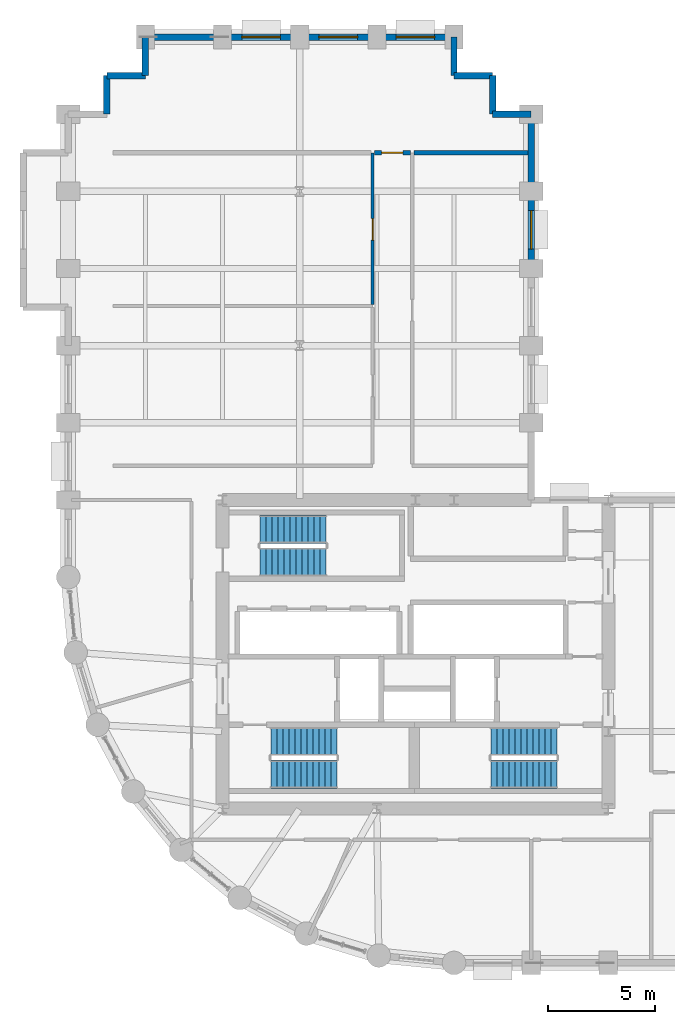
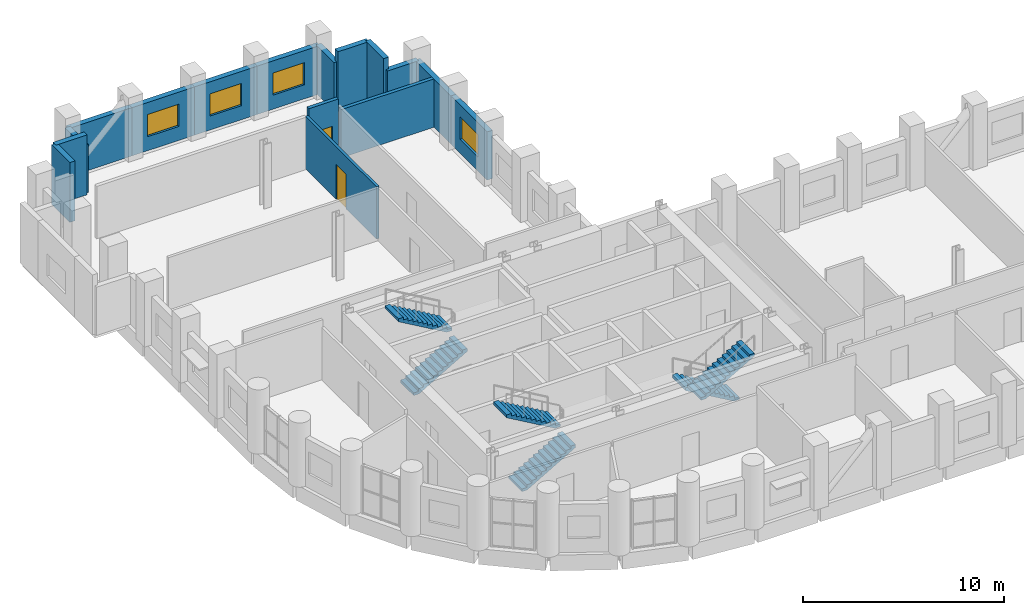
# One storey, part 11 of 13: 16 walls, 6 stair flights, 4 windows, 2 doors, 6 openings, 3 elements without a shape of their own.
"""IFC4 building model written with IfcOpenShell, lengths in metres."""

from ifc_helpers import new_model, si_unit, direction, frame, frame_2d, origin, place, context, subcontext, project, spatial, polyline, rectangle, outline, extrude, material, layer, layer_set, type_object, element, fill, aggregate, save


model = new_model("IFC4")

# Units and contexts
model_context = context("Model", 3, precision=1e-05, world=origin(), true_north=direction((0.0, 1.0)))
body_context = subcontext(model_context, "Body", "Model", "MODEL_VIEW")
ifc_project = project(units=[si_unit("LENGTHUNIT", "METRE"), si_unit("AREAUNIT", "SQUARE_METRE"), si_unit("VOLUMEUNIT", "CUBIC_METRE"), si_unit("PLANEANGLEUNIT", "RADIAN"), si_unit("MASSUNIT", "GRAM", prefix="KILO")], contexts=[model_context])

# Site, building, storey
site_placement = place(None, origin())
site = spatial("IfcSite", under=ifc_project, at=site_placement, CompositionType="ELEMENT")
building_placement = place(site_placement, origin())
building = spatial("IfcBuilding", under=site, at=building_placement, Name="Solnavia Interchange Tower", CompositionType="ELEMENT")
storey_placement = place(building_placement, frame((0.0, 0.0, 87.89990234375)))
storey = spatial("IfcBuildingStorey", under=building, at=storey_placement, Name="L21", CompositionType="ELEMENT", Elevation=87.89990234375)

# Wall
ifc_material_1 = material(Name="Gypsum Acoustic Twin-Stud & Mineral Wool", Category="gypsum")
ifc_layer_1 = layer(ifc_material_1, 0.199951171875)
ifc_layer_set_1 = layer_set([ifc_layer_1], Name="Gypsum Acoustic Twin-Stud & Mineral Wool")
wall_type_1 = type_object("IfcWallType", Name="Wall-ApartmentParty-200", PredefinedType="PARTITIONING", material=ifc_layer_set_1)
wall_1_placement = place(storey_placement, frame((23.3291015625, 41.39990234375, 0.0), z_axis=(0.0, 0.0, 1.0), x_axis=(1.0, 0.0, 0.0)))
element("IfcWall", 1, at=wall_1_placement, inside=storey, type_object=wall_type_1, Name="PTW-L21-35 Interior partition wall", PredefinedType="PARTITIONING", context=body_context, shape_type="SweptSolid", body=[
    extrude(rectangle(XDim=5.31689453125, YDim=0.199951171875, at=frame_2d((2.658447265625, 0.0))), origin(), (0.0, 0.0, 1.0), 2.93017578125),
])

# Wall, opening, door
wall_2_placement = place(storey_placement, frame((21.47900390625, 41.39990234375, 0.0), z_axis=(0.0, 0.0, 1.0), x_axis=(1.0, 0.0, 0.0)))
wall_2 = element("IfcWall", 2, at=wall_2_placement, inside=storey, type_object=wall_type_1, Name="PTW-L21-36 Interior partition wall", PredefinedType="PARTITIONING", context=body_context, shape_type="SweptSolid", body=[
    extrude(rectangle(XDim=1.69189453125, YDim=0.199951171875, at=frame_2d((0.845947265625, 0.0))), origin(), (0.0, 0.0, 1.0), 3.635009765625),
])
opening_1_placement = place(wall_2_placement, frame((0.339111328125, 0.0, 0.0)))
opening_1 = element("IfcOpeningElement", 3, at=opening_1_placement, cuts=wall_2, Name="Opening DR-06", PredefinedType="OPENING", context=body_context, shape_type="SweptSolid", body=[
    extrude(rectangle(XDim=1.0, YDim=2.10009765625, at=frame_2d((0.5, 1.050048828125))), frame((0.0, 0.10986328125, 0.0), z_axis=(0.0, -1.0, 0.0), x_axis=(1.0, 0.0, 0.0)), (0.0, 0.0, 1.0), 0.219970703125),
])
ifc_material_2 = material(Name="Engineered Timber Acoustic Fire Door", Category="wood")
door_type_1 = type_object("IfcDoorType", Name="Door-FlatEntry-1000x2100", OperationType="SINGLE_SWING_LEFT", PredefinedType="DOOR", material=ifc_material_2)
door_1_placement = place(opening_1_placement, origin())
door_1 = element("IfcDoor", 4, at=door_1_placement, inside=storey, type_object=door_type_1, Name="DR-L21-17 Interior room door", OperationType="SINGLE_SWING_LEFT", OverallHeight=2.10009765625, OverallWidth=1.0, PredefinedType="DOOR", context=body_context, shape_type="SweptSolid", body=[
    extrude(rectangle(XDim=1.0, YDim=2.10009765625, at=frame_2d((0.5, 1.050048828125))), frame((0.0, 0.02490234375, 0.0), z_axis=(0.0, -1.0, 0.0), x_axis=(1.0, 0.0, 0.0)), (0.0, 0.0, 1.0), 0.050048828125),
])
fill(opening_1, door_1)

# Wall, opening, window
ifc_material_3 = material(Name="Concrete C40/50", Category="concrete")
ifc_layer_2 = layer(ifc_material_3, 0.300048828125)
ifc_layer_set_2 = layer_set([ifc_layer_2], Name="Concrete C40/50")
wall_type_2 = type_object("IfcWallType", Name="Wall-ExtSpandrel-300", PredefinedType="STANDARD", material=ifc_layer_set_2)
wall_3_placement = place(storey_placement, frame((28.800048828125, 39.60009765625, 0.0), z_axis=(0.0, 0.0, 1.0), x_axis=(0.0, -1.0, 0.0)))
wall_3 = element("IfcWall", 5, at=wall_3_placement, inside=storey, type_object=wall_type_2, Name="EXW-L21-31 Exterior precast spandrel wall", PredefinedType="STANDARD", context=body_context, shape_type="SweptSolid", body=[
    extrude(rectangle(XDim=3.60009765625, YDim=0.300048828125, at=frame_2d((1.800048828125, 0.0))), origin(), (0.0, 0.0, 1.0), 2.93017578125),
])
opening_2_placement = place(wall_3_placement, frame((0.89990234375, 0.0, 0.85009765625)))
opening_2 = element("IfcOpeningElement", 6, at=opening_2_placement, cuts=wall_3, Name="Opening WIN-02", PredefinedType="OPENING", context=body_context, shape_type="SweptSolid", body=[
    extrude(rectangle(XDim=1.800048828125, YDim=1.35009765625, at=frame_2d((0.89990234375, 0.675048828125))), frame((0.0, 0.16015625, 0.0), z_axis=(0.0, -1.0, 0.0), x_axis=(1.0, 0.0, 0.0)), (0.0, 0.0, 1.0), 0.320068359375),
])
ifc_material_4 = material(Name="Thermal-Break Aluminium & Low-E Glass", Category="aluminium")
window_type = type_object("IfcWindowType", Name="Window-Ribbon-1800x1350", PartitioningType="SINGLE_PANEL", PredefinedType="WINDOW", material=ifc_material_4)
window_1_placement = place(opening_2_placement, origin())
window_1 = element("IfcWindow", 7, at=window_1_placement, inside=storey, type_object=window_type, Name="WIN-L21-31 Facade ribbon window", OverallHeight=1.35009765625, OverallWidth=1.800048828125, PartitioningType="SINGLE_PANEL", PredefinedType="WINDOW", context=body_context, shape_type="SweptSolid", body=[
    extrude(rectangle(XDim=1.800048828125, YDim=1.35009765625, at=frame_2d((0.89990234375, 0.675048828125))), frame((0.0, 0.030029296875, 0.0), z_axis=(0.0, -1.0, 0.0), x_axis=(1.0, 0.0, 0.0)), (0.0, 0.0, 1.0), 0.06005859375),
])
fill(opening_2, window_1)

# Walls
wall_4_placement = place(storey_placement, frame((28.800048828125, 43.199951171875, 0.0), z_axis=(0.0, 0.0, 1.0), x_axis=(0.0, -1.0, 0.0)))
element("IfcWall", 8, at=wall_4_placement, inside=storey, type_object=wall_type_2, Name="EXW-L21-32 Exterior precast spandrel wall", PredefinedType="STANDARD", context=body_context, shape_type="SweptSolid", body=[
    extrude(rectangle(XDim=3.599853515625, YDim=0.300048828125, at=frame_2d((1.7998046875, 0.0))), origin(), (0.0, 0.0, 1.0), 2.93017578125),
])
wall_5_placement = place(storey_placement, frame((27.0, 43.199951171875, 0.0), z_axis=(0.0, 0.0, 1.0), x_axis=(1.0, 0.0, 0.0)))
element("IfcWall", 9, at=wall_5_placement, inside=storey, type_object=wall_type_2, Name="EXW-L21-33 Exterior precast spandrel wall", PredefinedType="STANDARD", context=body_context, shape_type="SweptSolid", body=[
    extrude(rectangle(XDim=1.800048828125, YDim=0.300048828125, at=frame_2d((0.89990234375, 0.0))), origin(), (0.0, 0.0, 1.0), 2.93017578125),
])
for number, where, z_axis, x_axis, name in (
    (10, (27.0, 43.199951171875, 0.0), (0.0, 0.0, 1.0), (0.0, 1.0, 0.0), "EXW-L21-34 Exterior precast spandrel wall"),
    (11, (25.199951171875, 45.0, 0.0), (0.0, 0.0, 1.0), (1.0, 0.0, 0.0), "EXW-L21-35 Exterior precast spandrel wall"),
):
    element("IfcWall", number, at=place(storey_placement, frame(where, z_axis=z_axis, x_axis=x_axis)), inside=storey, type_object=wall_type_2, Name=name, PredefinedType="STANDARD", context=body_context, shape_type="SweptSolid", body=[
        extrude(rectangle(XDim=1.800048828125, YDim=0.300048828125, at=frame_2d((0.89990234375, 0.0))), origin(), (0.0, 0.0, 1.0), 3.635009765625),
    ])
wall_6_placement = place(storey_placement, frame((25.199951171875, 45.0, 0.0), z_axis=(0.0, 0.0, 1.0), x_axis=(0.0, 1.0, 0.0)))
element("IfcWall", 12, at=wall_6_placement, inside=storey, type_object=wall_type_2, Name="EXW-L21-36 Exterior precast spandrel wall", PredefinedType="STANDARD", context=body_context, shape_type="SweptSolid", body=[
    extrude(rectangle(XDim=1.800048828125, YDim=0.300048828125, at=frame_2d((0.89990234375, 0.0))), origin(), (0.0, 0.0, 1.0), 2.93017578125),
])

# Wall, opening, window
wall_7_placement = place(storey_placement, frame((21.60009765625, 46.800048828125, 0.0), z_axis=(0.0, 0.0, 1.0), x_axis=(1.0, 0.0, 0.0)))
wall_7 = element("IfcWall", 13, at=wall_7_placement, inside=storey, type_object=wall_type_2, Name="EXW-L21-37 Exterior precast spandrel wall", PredefinedType="STANDARD", context=body_context, shape_type="SweptSolid", body=[
    extrude(rectangle(XDim=3.599853515625, YDim=0.300048828125, at=frame_2d((1.7998046875, 0.0))), origin(), (0.0, 0.0, 1.0), 2.93017578125),
])
opening_3_placement = place(wall_7_placement, frame((0.89990234375, 0.0, 0.85009765625)))
opening_3 = element("IfcOpeningElement", 14, at=opening_3_placement, cuts=wall_7, Name="Opening WIN-02", PredefinedType="OPENING", context=body_context, shape_type="SweptSolid", body=[
    extrude(rectangle(XDim=1.800048828125, YDim=1.35009765625, at=frame_2d((0.89990234375, 0.675048828125))), frame((0.0, 0.16015625, 0.0), z_axis=(0.0, -1.0, 0.0), x_axis=(1.0, 0.0, 0.0)), (0.0, 0.0, 1.0), 0.320068359375),
])
window_2_placement = place(opening_3_placement, origin())
window_2 = element("IfcWindow", 15, at=window_2_placement, inside=storey, type_object=window_type, Name="WIN-L21-37 Facade ribbon window", OverallHeight=1.35009765625, OverallWidth=1.800048828125, PartitioningType="SINGLE_PANEL", PredefinedType="WINDOW", context=body_context, shape_type="SweptSolid", body=[
    extrude(rectangle(XDim=1.800048828125, YDim=1.35009765625, at=frame_2d((0.89990234375, 0.675048828125))), frame((0.0, 0.030029296875, 0.0), z_axis=(0.0, -1.0, 0.0), x_axis=(1.0, 0.0, 0.0)), (0.0, 0.0, 1.0), 0.06005859375),
])
fill(opening_3, window_2)

wall_8_placement = place(storey_placement, frame((18.0, 46.800048828125, 0.0), z_axis=(0.0, 0.0, 1.0), x_axis=(1.0, 0.0, 0.0)))
wall_8 = element("IfcWall", 16, at=wall_8_placement, inside=storey, type_object=wall_type_2, Name="EXW-L21-38 Exterior precast spandrel wall", PredefinedType="STANDARD", context=body_context, shape_type="SweptSolid", body=[
    extrude(rectangle(XDim=3.60009765625, YDim=0.300048828125, at=frame_2d((1.800048828125, 0.0))), origin(), (0.0, 0.0, 1.0), 2.93017578125),
])
opening_4_placement = place(wall_8_placement, frame((0.89990234375, 0.0, 0.85009765625)))
opening_4 = element("IfcOpeningElement", 17, at=opening_4_placement, cuts=wall_8, Name="Opening WIN-02", PredefinedType="OPENING", context=body_context, shape_type="SweptSolid", body=[
    extrude(rectangle(XDim=1.800048828125, YDim=1.35009765625, at=frame_2d((0.89990234375, 0.675048828125))), frame((0.0, 0.16015625, 0.0), z_axis=(0.0, -1.0, 0.0), x_axis=(1.0, 0.0, 0.0)), (0.0, 0.0, 1.0), 0.320068359375),
])
window_3_placement = place(opening_4_placement, origin())
window_3 = element("IfcWindow", 18, at=window_3_placement, inside=storey, type_object=window_type, Name="WIN-L21-38 Facade ribbon window", OverallHeight=1.35009765625, OverallWidth=1.800048828125, PartitioningType="SINGLE_PANEL", PredefinedType="WINDOW", context=body_context, shape_type="SweptSolid", body=[
    extrude(rectangle(XDim=1.800048828125, YDim=1.35009765625, at=frame_2d((0.89990234375, 0.675048828125))), frame((0.0, 0.030029296875, 0.0), z_axis=(0.0, -1.0, 0.0), x_axis=(1.0, 0.0, 0.0)), (0.0, 0.0, 1.0), 0.06005859375),
])
fill(opening_4, window_3)

wall_9_placement = place(storey_placement, frame((14.39990234375, 46.800048828125, 0.0), z_axis=(0.0, 0.0, 1.0), x_axis=(1.0, 0.0, 0.0)))
wall_9 = element("IfcWall", 19, at=wall_9_placement, inside=storey, type_object=wall_type_2, Name="EXW-L21-39 Exterior precast spandrel wall", PredefinedType="STANDARD", context=body_context, shape_type="SweptSolid", body=[
    extrude(rectangle(XDim=3.60009765625, YDim=0.300048828125, at=frame_2d((1.800048828125, 0.0))), origin(), (0.0, 0.0, 1.0), 2.93017578125),
])
opening_5_placement = place(wall_9_placement, frame((0.89990234375, 0.0, 0.85009765625)))
opening_5 = element("IfcOpeningElement", 20, at=opening_5_placement, cuts=wall_9, Name="Opening WIN-02", PredefinedType="OPENING", context=body_context, shape_type="SweptSolid", body=[
    extrude(rectangle(XDim=1.800048828125, YDim=1.35009765625, at=frame_2d((0.89990234375, 0.675048828125))), frame((0.0, 0.16015625, 0.0), z_axis=(0.0, -1.0, 0.0), x_axis=(1.0, 0.0, 0.0)), (0.0, 0.0, 1.0), 0.320068359375),
])
window_4_placement = place(opening_5_placement, origin())
window_4 = element("IfcWindow", 21, at=window_4_placement, inside=storey, type_object=window_type, Name="WIN-L21-39 Facade ribbon window", OverallHeight=1.35009765625, OverallWidth=1.800048828125, PartitioningType="SINGLE_PANEL", PredefinedType="WINDOW", context=body_context, shape_type="SweptSolid", body=[
    extrude(rectangle(XDim=1.800048828125, YDim=1.35009765625, at=frame_2d((0.89990234375, 0.675048828125))), frame((0.0, 0.030029296875, 0.0), z_axis=(0.0, -1.0, 0.0), x_axis=(1.0, 0.0, 0.0)), (0.0, 0.0, 1.0), 0.06005859375),
])
fill(opening_5, window_4)

# Walls
wall_10_placement = place(storey_placement, frame((10.800048828125, 46.800048828125, 0.0), z_axis=(0.0, 0.0, 1.0), x_axis=(1.0, 0.0, 0.0)))
element("IfcWall", 22, at=wall_10_placement, inside=storey, type_object=wall_type_2, Name="EXW-L21-40 Exterior precast spandrel wall", PredefinedType="STANDARD", context=body_context, shape_type="SweptSolid", body=[
    extrude(rectangle(XDim=3.599853515625, YDim=0.300048828125, at=frame_2d((1.7998046875, 0.0))), origin(), (0.0, 0.0, 1.0), 2.93017578125),
])
wall_11_placement = place(storey_placement, frame((10.800048828125, 45.0, 0.0), z_axis=(0.0, 0.0, 1.0), x_axis=(0.0, 1.0, 0.0)))
element("IfcWall", 23, at=wall_11_placement, inside=storey, type_object=wall_type_2, Name="EXW-L21-41 Exterior precast spandrel wall", PredefinedType="STANDARD", context=body_context, shape_type="SweptSolid", body=[
    extrude(rectangle(XDim=1.800048828125, YDim=0.300048828125, at=frame_2d((0.89990234375, 0.0))), origin(), (0.0, 0.0, 1.0), 2.93017578125),
])
for number, where, z_axis, x_axis, name in (
    (24, (9.0, 45.0, 0.0), (0.0, 0.0, 1.0), (1.0, 0.0, 0.0), "EXW-L21-42 Exterior precast spandrel wall"),
    (25, (9.0, 43.199951171875, 0.0), (0.0, 0.0, 1.0), (0.0, 1.0, 0.0), "EXW-L21-43 Exterior precast spandrel wall"),
):
    element("IfcWall", number, at=place(storey_placement, frame(where, z_axis=z_axis, x_axis=x_axis)), inside=storey, type_object=wall_type_2, Name=name, PredefinedType="STANDARD", context=body_context, shape_type="SweptSolid", body=[
        extrude(rectangle(XDim=1.800048828125, YDim=0.300048828125, at=frame_2d((0.89990234375, 0.0))), origin(), (0.0, 0.0, 1.0), 3.635009765625),
    ])

# Wall, opening, door
ifc_material_5 = material(Name="Gypsum Plasterboard & Steel Stud", Category="steel")
ifc_layer_3 = layer(ifc_material_5, 0.14990234375)
ifc_layer_set_3 = layer_set([ifc_layer_3], Name="Gypsum Plasterboard & Steel Stud")
wall_type_3 = type_object("IfcWallType", Name="Wall-Partition-150", PredefinedType="PARTITIONING", material=ifc_layer_set_3)
wall_12_placement = place(storey_placement, frame((21.39990234375, 34.3291015625, 0.0), z_axis=(0.0, 0.0, 1.0), x_axis=(0.0, 1.0, 0.0)))
wall_12 = element("IfcWall", 26, at=wall_12_placement, inside=storey, type_object=wall_type_3, Name="PTW-L21-31 Interior partition wall", PredefinedType="PARTITIONING", context=body_context, shape_type="SweptSolid", body=[
    extrude(rectangle(XDim=7.07080078125, YDim=0.14990234375, at=frame_2d((3.535400390625, 0.0))), origin(), (0.0, 0.0, 1.0), 3.18017578125),
])
opening_6_placement = place(wall_12_placement, frame((2.99609375, 0.0, 0.0)))
opening_6 = element("IfcOpeningElement", 27, at=opening_6_placement, cuts=wall_12, Name="Opening DR-07", PredefinedType="OPENING", context=body_context, shape_type="SweptSolid", body=[
    extrude(rectangle(XDim=1.0, YDim=2.10009765625, at=frame_2d((0.5, 1.050048828125))), frame((0.0, 0.0849609375, 0.0), z_axis=(0.0, -1.0, 0.0), x_axis=(1.0, 0.0, 0.0)), (0.0, 0.0, 1.0), 0.169921875),
])
ifc_material_6 = material(Name="Timber & Acoustic Glazed Office Door", Category="wood")
door_type_2 = type_object("IfcDoorType", Name="Door-Office-1000x2100", OperationType="SINGLE_SWING_RIGHT", PredefinedType="DOOR", material=ifc_material_6)
door_2_placement = place(opening_6_placement, origin())
door_2 = element("IfcDoor", 28, at=door_2_placement, inside=storey, type_object=door_type_2, Name="DR-L21-15 Interior room door", OperationType="SINGLE_SWING_RIGHT", OverallHeight=2.10009765625, OverallWidth=1.0, PredefinedType="DOOR", context=body_context, shape_type="SweptSolid", body=[
    extrude(rectangle(XDim=1.0, YDim=2.10009765625, at=frame_2d((0.5, 1.050048828125))), frame((0.0, 0.02490234375, 0.0), z_axis=(0.0, -1.0, 0.0), x_axis=(1.0, 0.0, 0.0)), (0.0, 0.0, 1.0), 0.050048828125),
])
fill(opening_6, door_2)

# Stair, stair flights
stair_type = type_object("IfcStairType", Name="Stair-Dogleg-RC", PredefinedType="HALF_TURN_STAIR", material=ifc_material_3)
stair_1_placement = place(storey_placement, origin())
stair_1 = element("IfcStair", 29, at=stair_1_placement, inside=storey, type_object=stair_type, Name="L21 Core exit stair 1", PredefinedType="HALF_TURN_STAIR")
stair_flight_type = type_object("IfcStairFlightType", Name="StairFlight-RC-150", PredefinedType="STRAIGHT", material=ifc_material_3)
stair_flight_1_placement = place(storey_placement, frame((16.64990234375, 12.409912109375, 0.0), z_axis=(0.0, 0.0, 1.0), x_axis=(1.0, 0.0, 0.0)))
stair_flight_1 = element("IfcStairFlight", 30, at=stair_flight_1_placement, type_object=stair_flight_type, Name="ST-1 flight 1", NumberOfRisers=12, NumberOfTreads=11, PredefinedType="STRAIGHT", RiserHeight=0.1625, TreadLength=0.28, context=body_context, shape_type="SweptSolid", body=[
    extrude(outline(polyline([(0.0, 0.0), (0.0, 0.16259765625), (0.280029296875, 0.16259765625), (0.280029296875, 0.324951171875), (0.56005859375, 0.324951171875), (0.56005859375, 0.487548828125), (0.840087890625, 0.487548828125), (0.840087890625, 0.64990234375), (1.1201171875, 0.64990234375), (1.1201171875, 0.8125), (1.39990234375, 0.8125), (1.39990234375, 0.97509765625), (1.679931640625, 0.97509765625), (1.679931640625, 1.137451171875), (1.9599609375, 1.137451171875), (1.9599609375, 1.300048828125), (2.239990234375, 1.300048828125), (2.239990234375, 1.46240234375), (2.52001953125, 1.46240234375), (2.52001953125, 1.625), (2.800048828125, 1.625), (2.800048828125, 1.78759765625), (3.080078125, 1.78759765625), (3.080078125, 1.949951171875), (3.080078125, 1.6142578125), (0.298583984375, 0.0), (0.0, 0.0)])), frame((0.0, 0.66015625, 0.0), z_axis=(0.0, -1.0, 0.0), x_axis=(1.0, 0.0, 0.0)), (0.0, 0.0, 1.0), 1.320068359375),
])
stair_flight_2_placement = place(storey_placement, frame((19.72998046875, 13.929931640625, 1.9501953125), z_axis=(0.0, 0.0, 1.0), x_axis=(-1.0, 0.0, 0.0)))
stair_flight_2 = element("IfcStairFlight", 31, at=stair_flight_2_placement, type_object=stair_flight_type, Name="ST-1 flight 2", NumberOfRisers=12, NumberOfTreads=11, PredefinedType="STRAIGHT", RiserHeight=0.1625, TreadLength=0.28, context=body_context, shape_type="SweptSolid", body=[
    extrude(outline(polyline([(0.0, 0.0), (0.0, 0.16259765625), (0.280029296875, 0.16259765625), (0.280029296875, 0.324951171875), (0.56005859375, 0.324951171875), (0.56005859375, 0.487548828125), (0.840087890625, 0.487548828125), (0.840087890625, 0.64990234375), (1.1201171875, 0.64990234375), (1.1201171875, 0.8125), (1.39990234375, 0.8125), (1.39990234375, 0.97509765625), (1.679931640625, 0.97509765625), (1.679931640625, 1.137451171875), (1.9599609375, 1.137451171875), (1.9599609375, 1.300048828125), (2.239990234375, 1.300048828125), (2.239990234375, 1.46240234375), (2.52001953125, 1.46240234375), (2.52001953125, 1.625), (2.800048828125, 1.625), (2.800048828125, 1.78759765625), (3.080078125, 1.78759765625), (3.080078125, 1.949951171875), (3.080078125, 1.6142578125), (0.298583984375, 0.0), (0.0, 0.0)])), frame((0.0, 0.66015625, 0.0), z_axis=(0.0, -1.0, 0.0), x_axis=(1.0, 0.0, 0.0)), (0.0, 0.0, 1.0), 1.320068359375),
])
aggregate(stair_1, [stair_flight_1, stair_flight_2])

stair_2_placement = place(storey_placement, origin())
stair_2 = element("IfcStair", 32, at=stair_2_placement, inside=storey, type_object=stair_type, Name="L21 Core exit stair 2", PredefinedType="HALF_TURN_STAIR")
stair_flight_3_placement = place(storey_placement, frame((30.0, 13.929931640625, 0.0), z_axis=(0.0, 0.0, 1.0), x_axis=(-1.0, 0.0, 0.0)))
stair_flight_3 = element("IfcStairFlight", 33, at=stair_flight_3_placement, type_object=stair_flight_type, Name="ST-2 flight 1", NumberOfRisers=12, NumberOfTreads=11, PredefinedType="STRAIGHT", RiserHeight=0.1625, TreadLength=0.28, context=body_context, shape_type="SweptSolid", body=[
    extrude(outline(polyline([(0.0, 0.0), (0.0, 0.16259765625), (0.280029296875, 0.16259765625), (0.280029296875, 0.324951171875), (0.56005859375, 0.324951171875), (0.56005859375, 0.487548828125), (0.840087890625, 0.487548828125), (0.840087890625, 0.64990234375), (1.1201171875, 0.64990234375), (1.1201171875, 0.8125), (1.39990234375, 0.8125), (1.39990234375, 0.97509765625), (1.679931640625, 0.97509765625), (1.679931640625, 1.137451171875), (1.9599609375, 1.137451171875), (1.9599609375, 1.300048828125), (2.239990234375, 1.300048828125), (2.239990234375, 1.46240234375), (2.52001953125, 1.46240234375), (2.52001953125, 1.625), (2.800048828125, 1.625), (2.800048828125, 1.78759765625), (3.080078125, 1.78759765625), (3.080078125, 1.949951171875), (3.080078125, 1.6142578125), (0.298583984375, 0.0), (0.0, 0.0)])), frame((0.0, 0.66015625, 0.0), z_axis=(0.0, -1.0, 0.0), x_axis=(1.0, 0.0, 0.0)), (0.0, 0.0, 1.0), 1.320068359375),
])
stair_flight_4_placement = place(storey_placement, frame((26.919921875, 12.409912109375, 1.9501953125), z_axis=(0.0, 0.0, 1.0), x_axis=(1.0, 0.0, 0.0)))
stair_flight_4 = element("IfcStairFlight", 34, at=stair_flight_4_placement, type_object=stair_flight_type, Name="ST-2 flight 2", NumberOfRisers=12, NumberOfTreads=11, PredefinedType="STRAIGHT", RiserHeight=0.1625, TreadLength=0.28, context=body_context, shape_type="SweptSolid", body=[
    extrude(outline(polyline([(0.0, 0.0), (0.0, 0.16259765625), (0.280029296875, 0.16259765625), (0.280029296875, 0.324951171875), (0.56005859375, 0.324951171875), (0.56005859375, 0.487548828125), (0.840087890625, 0.487548828125), (0.840087890625, 0.64990234375), (1.1201171875, 0.64990234375), (1.1201171875, 0.8125), (1.39990234375, 0.8125), (1.39990234375, 0.97509765625), (1.679931640625, 0.97509765625), (1.679931640625, 1.137451171875), (1.9599609375, 1.137451171875), (1.9599609375, 1.300048828125), (2.239990234375, 1.300048828125), (2.239990234375, 1.46240234375), (2.52001953125, 1.46240234375), (2.52001953125, 1.625), (2.800048828125, 1.625), (2.800048828125, 1.78759765625), (3.080078125, 1.78759765625), (3.080078125, 1.949951171875), (3.080078125, 1.6142578125), (0.298583984375, 0.0), (0.0, 0.0)])), frame((0.0, 0.66015625, 0.0), z_axis=(0.0, -1.0, 0.0), x_axis=(1.0, 0.0, 0.0)), (0.0, 0.0, 1.0), 1.320068359375),
])
aggregate(stair_2, [stair_flight_3, stair_flight_4])

stair_3_placement = place(storey_placement, origin())
stair_3 = element("IfcStair", 35, at=stair_3_placement, inside=storey, type_object=stair_type, Name="L21 Core exit stair 3", PredefinedType="HALF_TURN_STAIR")
stair_flight_5_placement = place(storey_placement, frame((16.14990234375, 22.31005859375, 0.0), z_axis=(0.0, 0.0, 1.0), x_axis=(1.0, 0.0, 0.0)))
stair_flight_5 = element("IfcStairFlight", 36, at=stair_flight_5_placement, type_object=stair_flight_type, Name="ST-3 flight 1", NumberOfRisers=12, NumberOfTreads=11, PredefinedType="STRAIGHT", RiserHeight=0.1625, TreadLength=0.28, context=body_context, shape_type="SweptSolid", body=[
    extrude(outline(polyline([(0.0, 0.0), (0.0, 0.16259765625), (0.280029296875, 0.16259765625), (0.280029296875, 0.324951171875), (0.56005859375, 0.324951171875), (0.56005859375, 0.487548828125), (0.840087890625, 0.487548828125), (0.840087890625, 0.64990234375), (1.1201171875, 0.64990234375), (1.1201171875, 0.8125), (1.39990234375, 0.8125), (1.39990234375, 0.97509765625), (1.679931640625, 0.97509765625), (1.679931640625, 1.137451171875), (1.9599609375, 1.137451171875), (1.9599609375, 1.300048828125), (2.239990234375, 1.300048828125), (2.239990234375, 1.46240234375), (2.52001953125, 1.46240234375), (2.52001953125, 1.625), (2.800048828125, 1.625), (2.800048828125, 1.78759765625), (3.080078125, 1.78759765625), (3.080078125, 1.949951171875), (3.080078125, 1.6142578125), (0.298583984375, 0.0), (0.0, 0.0)])), frame((0.0, 0.66015625, 0.0), z_axis=(0.0, -1.0, 0.0), x_axis=(1.0, 0.0, 0.0)), (0.0, 0.0, 1.0), 1.320068359375),
])
stair_flight_6_placement = place(storey_placement, frame((19.22998046875, 23.830078125, 1.9501953125), z_axis=(0.0, 0.0, 1.0), x_axis=(-1.0, 0.0, 0.0)))
stair_flight_6 = element("IfcStairFlight", 37, at=stair_flight_6_placement, type_object=stair_flight_type, Name="ST-3 flight 2", NumberOfRisers=12, NumberOfTreads=11, PredefinedType="STRAIGHT", RiserHeight=0.1625, TreadLength=0.28, context=body_context, shape_type="SweptSolid", body=[
    extrude(outline(polyline([(0.0, 0.0), (0.0, 0.16259765625), (0.280029296875, 0.16259765625), (0.280029296875, 0.324951171875), (0.56005859375, 0.324951171875), (0.56005859375, 0.487548828125), (0.840087890625, 0.487548828125), (0.840087890625, 0.64990234375), (1.1201171875, 0.64990234375), (1.1201171875, 0.8125), (1.39990234375, 0.8125), (1.39990234375, 0.97509765625), (1.679931640625, 0.97509765625), (1.679931640625, 1.137451171875), (1.9599609375, 1.137451171875), (1.9599609375, 1.300048828125), (2.239990234375, 1.300048828125), (2.239990234375, 1.46240234375), (2.52001953125, 1.46240234375), (2.52001953125, 1.625), (2.800048828125, 1.625), (2.800048828125, 1.78759765625), (3.080078125, 1.78759765625), (3.080078125, 1.949951171875), (3.080078125, 1.6142578125), (0.298583984375, 0.0), (0.0, 0.0)])), frame((0.0, 0.66015625, 0.0), z_axis=(0.0, -1.0, 0.0), x_axis=(1.0, 0.0, 0.0)), (0.0, 0.0, 1.0), 1.320068359375),
])
aggregate(stair_3, [stair_flight_5, stair_flight_6])

save(model, "model.ifc")
